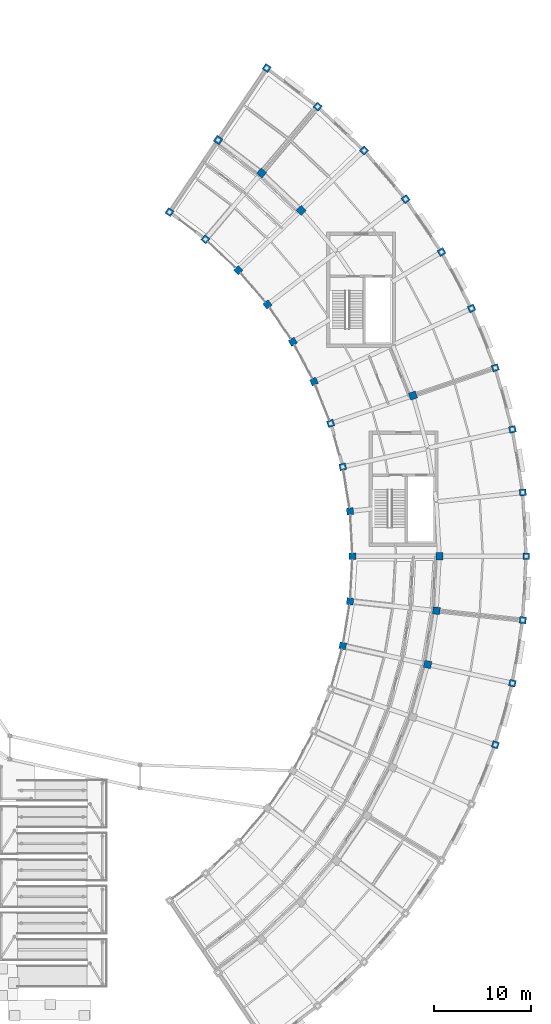
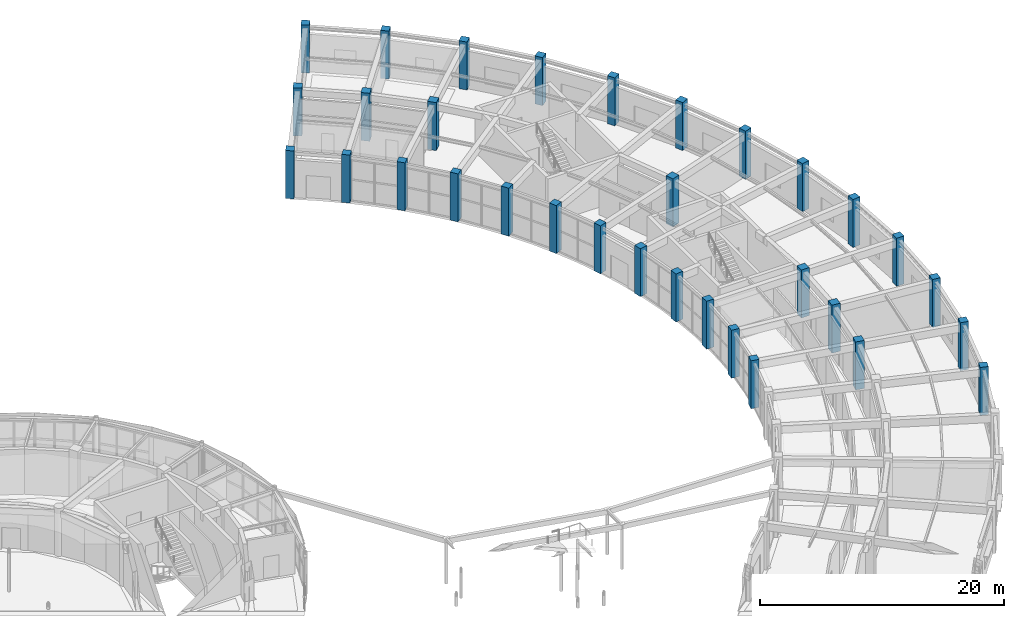
# One storey, part 17 of 108: 32 columns.
"""IFC4 building model written with IfcOpenShell, lengths in metres."""

from ifc_helpers import new_model, si_unit, direction, frame, origin, origin_2d, place, context, subcontext, project, spatial, rectangle, extrude, material, material_profile, profile_set, type_object, element, save


model = new_model("IFC4")

# Units and contexts
model_context = context("Model", 3, precision=1e-05, world=origin(), true_north=direction((0.0, 1.0)))
body_context = subcontext(model_context, "Body", "Model", "MODEL_VIEW")
ifc_project = project(units=[si_unit("LENGTHUNIT", "METRE"), si_unit("AREAUNIT", "SQUARE_METRE"), si_unit("VOLUMEUNIT", "CUBIC_METRE"), si_unit("PLANEANGLEUNIT", "RADIAN"), si_unit("MASSUNIT", "GRAM", prefix="KILO")], contexts=[model_context])

# Site, building, storey
site_placement = place(None, origin())
site = spatial("IfcSite", under=ifc_project, at=site_placement, CompositionType="ELEMENT")
building_placement = place(site_placement, origin())
building = spatial("IfcBuilding", under=site, at=building_placement, Name="Tarnveldt Headland Concert Hall", CompositionType="ELEMENT")
storey_placement = place(building_placement, origin())
storey = spatial("IfcBuildingStorey", under=building, at=storey_placement, Name="L00", CompositionType="ELEMENT", Elevation=0.0)

# Columns
ifc_material = material(Name="Concrete C40/50", Category="concrete")
ifc_material_profile_1 = material_profile(ifc_material, rectangle(XDim=0.699951171875, YDim=0.699951171875, at=origin_2d()), Name="RC 700x700", Category="concrete")
ifc_profile_set_1 = profile_set([ifc_material_profile_1], Name="Concrete C40/50")
column_type_1 = type_object("IfcColumnType", Name="CC-700", PredefinedType="COLUMN", material=ifc_profile_set_1)
for number, where, z_axis, x_axis, name in (
    (1, (175.291259765625, 40.476318359375, 0.0), (0.0, 0.0, 1.0), (0.947378020466, -0.320116988518, 0.0), "Column V3C06OUT L00"),
    (2, (159.48974609375, 50.73388671875, 0.0), (0.0, 0.0, 1.0), (0.976522126798, -0.215417120661, 0.0), "Column V3C07IN L00"),
    (3, (177.06689453125, 46.85498046875, 0.0), (0.0, 0.0, 1.0), (0.976522126798, -0.215417120661, 0.0), "Column V3C07OUT L00"),
    (4, (160.24658203125, 55.33935546875, 0.0), (0.0, 0.0, 1.0), (0.994113204519, -0.108346373271, 0.0), "Column V3C08IN L00"),
    (5, (178.140625, 53.388427734375, 0.0), (0.0, 0.0, 1.0), (0.994113204519, -0.108346373271, 0.0), "Column V3C08OUT L00"),
    (6, (160.5, 60.0, 0.0), (0.0, 0.0, 1.0), (1.0, 0.0, 0.0), "Column V3C09IN L00"),
    (7, (178.5, 60.0, 0.0), (0.0, 0.0, 1.0), (1.0, 0.0, 0.0), "Column V3C09OUT L00"),
    (8, (160.24658203125, 64.66064453125, 0.0), (0.0, 0.0, 1.0), (0.994113204519, 0.108346373271, 0.0), "Column V3C10IN L00"),
    (9, (178.140625, 66.611572265625, 0.0), (0.0, 0.0, 1.0), (0.994113204519, 0.108346373271, 0.0), "Column V3C10OUT L00"),
    (10, (159.48974609375, 69.26611328125, 0.0), (0.0, 0.0, 1.0), (0.976522126798, 0.215417120661, 0.0), "Column V3C11IN L00"),
    (11, (177.06689453125, 73.14501953125, 0.0), (0.0, 0.0, 1.0), (0.976522126798, 0.215417120661, 0.0), "Column V3C11OUT L00"),
    (12, (158.238037109375, 73.7626953125, 0.0), (0.0, 0.0, 1.0), (0.947378020466, 0.320116988518, 0.0), "Column V3C12IN L00"),
    (13, (175.291259765625, 79.523681640625, 0.0), (0.0, 0.0, 1.0), (0.947378020466, 0.320116988518, 0.0), "Column V3C12OUT L00"),
    (14, (156.50634765625, 78.096923828125, 0.0), (0.0, 0.0, 1.0), (0.907117485088, 0.42087749791, 0.0), "Column V3C13IN L00"),
    (15, (172.834716796875, 85.672607421875, 0.0), (0.0, 0.0, 1.0), (0.907117485088, 0.42087749791, 0.0), "Column V3C13OUT L00"),
    (16, (154.315185546875, 82.218017578125, 0.0), (0.0, 0.0, 1.0), (0.856176919486, 0.516682767798, 0.0), "Column V3C14IN L00"),
    (17, (169.726318359375, 91.518798828125, 0.0), (0.0, 0.0, 1.0), (0.856176919486, 0.516682767798, 0.0), "Column V3C14OUT L00"),
    (18, (151.690185546875, 86.077392578125, 0.0), (0.0, 0.0, 1.0), (0.795156077043, 0.60640482612, 0.0), "Column V3C15IN L00"),
    (19, (166.00244140625, 96.993408203125, 0.0), (0.0, 0.0, 1.0), (0.795156077043, 0.60640482612, 0.0), "Column V3C15OUT L00"),
    (20, (148.662353515625, 89.62939453125, 0.0), (0.0, 0.0, 1.0), (0.724653130187, 0.689113808387, 0.0), "Column V3C16IN L00"),
    (21, (161.70703125, 102.032470703125, 0.0), (0.0, 0.0, 1.0), (0.724653130187, 0.689113808387, 0.0), "Column V3C16OUT L00"),
    (22, (145.267333984375, 92.83251953125, 0.0), (0.0, 0.0, 1.0), (0.645724263505, 0.763570674869, 0.0), "Column V3C17IN L00"),
    (23, (156.89111328125, 106.576416015625, 0.0), (0.0, 0.0, 1.0), (0.645724263505, 0.763570674869, 0.0), "Column V3C17OUT L00"),
    (24, (141.54541015625, 95.648681640625, 0.0), (0.0, 0.0, 1.0), (0.559192903471, 0.829037572555, 0.0), "Column V3C18IN L00"),
    (25, (151.61083984375, 110.5712890625, 0.0), (0.0, 0.0, 1.0), (0.559192903471, 0.829037572555, 0.0), "Column V3C18OUT L00"),
):
    element("IfcColumn", number, at=place(storey_placement, frame(where, z_axis=z_axis, x_axis=x_axis)), inside=storey, type_object=column_type_1, Name=name, PredefinedType="COLUMN", context=body_context, shape_type="SweptSolid", body=[
        extrude(rectangle(XDim=0.699951171875, YDim=0.699951171875, at=origin_2d()), origin(), (0.0, 0.0, 1.0), 4.800048828125),
    ])
ifc_material_profile_2 = material_profile(ifc_material, rectangle(XDim=0.75, YDim=0.75, at=origin_2d()), Name="RC 750x750", Category="concrete")
ifc_profile_set_2 = profile_set([ifc_material_profile_2], Name="Concrete C40/50")
column_type_2 = type_object("IfcColumnType", Name="CC-750", PredefinedType="COLUMN", material=ifc_profile_set_2)
for number, where, z_axis, x_axis, name in (
    (26, (168.2783203125, 48.79443359375, 0.0), (0.0, 0.0, 1.0), (0.976522126798, -0.215417120661, 0.0), "Column V3C07MD L00"),
    (27, (169.193603515625, 54.364013671875, 0.0), (0.0, 0.0, 1.0), (0.994113204519, -0.108346373271, 0.0), "Column V3C08MD L00"),
    (28, (169.5, 60.0, 0.0), (0.0, 0.0, 1.0), (1.0, 0.0, 0.0), "Column V3C09MD L00"),
    (29, (166.7646484375, 76.643310546875, 0.0), (0.0, 0.0, 1.0), (0.947378020466, 0.320116988518, 0.0), "Column V3C12MD L00"),
    (30, (155.184814453125, 95.8310546875, 0.0), (0.0, 0.0, 1.0), (0.724653130187, 0.689113808387, 0.0), "Column V3C16MD L00"),
    (31, (151.0791015625, 99.704345703125, 0.0), (0.0, 0.0, 1.0), (0.645724263505, 0.763570674869, 0.0), "Column V3C17MD L00"),
    (32, (146.577880859375, 103.110107421875, 0.0), (0.0, 0.0, 1.0), (0.559192903471, 0.829037572555, 0.0), "Column V3C18MD L00"),
):
    element("IfcColumn", number, at=place(storey_placement, frame(where, z_axis=z_axis, x_axis=x_axis)), inside=storey, type_object=column_type_2, Name=name, PredefinedType="COLUMN", context=body_context, shape_type="SweptSolid", body=[
        extrude(rectangle(XDim=0.75, YDim=0.75, at=origin_2d()), origin(), (0.0, 0.0, 1.0), 4.800048828125),
    ])

save(model, "model.ifc")
